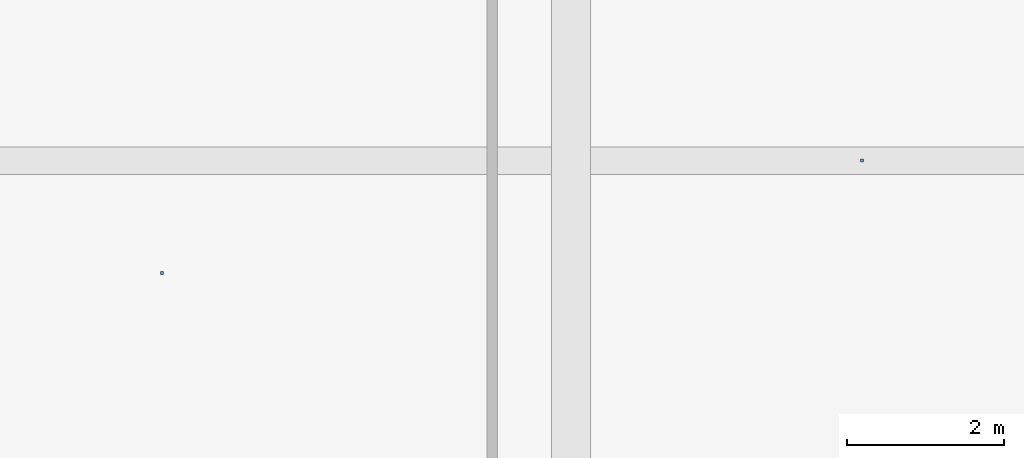
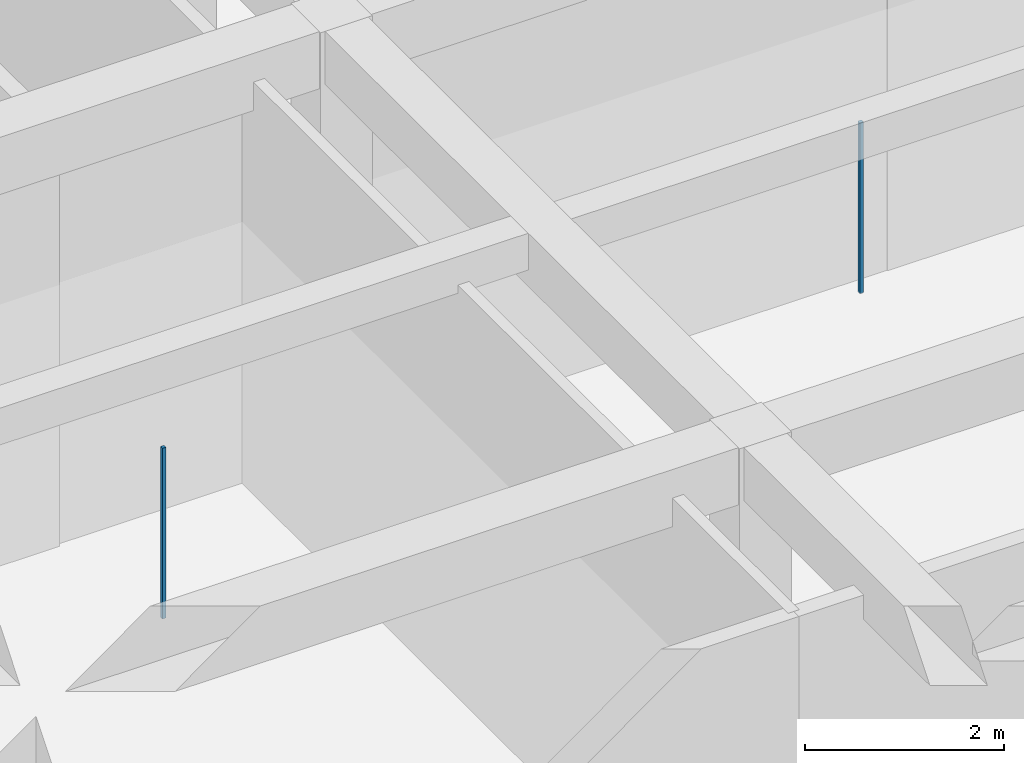
# One storey, part 117 of 157: 2 discrete accessories.
"""IFC4 building model written with IfcOpenShell, lengths in metres."""

from ifc_helpers import new_model, si_unit, direction, frame, origin, origin_2d, place, context, subcontext, project, spatial, rectangle, extrude, material, type_object, element, save


model = new_model("IFC4")

# Units and contexts
model_context = context("Model", 3, precision=1e-05, world=origin(), true_north=direction((0.0, 1.0)))
body_context = subcontext(model_context, "Body", "Model", "MODEL_VIEW")
ifc_project = project(units=[si_unit("LENGTHUNIT", "METRE"), si_unit("AREAUNIT", "SQUARE_METRE"), si_unit("VOLUMEUNIT", "CUBIC_METRE"), si_unit("PLANEANGLEUNIT", "RADIAN"), si_unit("MASSUNIT", "GRAM", prefix="KILO")], contexts=[model_context])

# Site, building, storey
site_placement = place(None, origin())
site = spatial("IfcSite", under=ifc_project, at=site_placement, CompositionType="ELEMENT")
building_placement = place(site_placement, origin())
building = spatial("IfcBuilding", under=site, at=building_placement, Name="Varncliffe General Hospital", CompositionType="ELEMENT")
storey_placement = place(building_placement, frame((0.0, 0.0, 5.39990234375)))
storey = spatial("IfcBuildingStorey", under=building, at=storey_placement, Name="L01", CompositionType="ELEMENT", Elevation=5.39990234375)

# Discrete accessories
ifc_material = material(Name="Powder-coated hospital steel guardrail and handrail", Category="steel")
discrete_accessory_type = type_object("IfcDiscreteAccessoryType", Name="Suspended Ceiling Hanger Bracket CH01", PredefinedType="BRACKET", material=ifc_material)
for number, where, z_axis, x_axis, name in (
    (1, (45.199951171875, 93.969970703125, 3.18994140625), (0.0, 0.0, 1.0), (1.0, 0.0, 0.0), "L01 Suspended Ceiling Hanger 160"),
    (2, (54.10009765625, 95.39990234375, 3.18994140625), (0.0, 0.0, 1.0), (1.0, 0.0, 0.0), "L01 Suspended Ceiling Hanger 161"),
):
    element("IfcDiscreteAccessory", number, at=place(storey_placement, frame(where, z_axis=z_axis, x_axis=x_axis)), inside=storey, type_object=discrete_accessory_type, Name=name, PredefinedType="BRACKET", context=body_context, shape_type="SweptSolid", body=[
        extrude(rectangle(XDim=0.0400390625, YDim=0.0400390625, at=origin_2d()), origin(), (0.0, 0.0, 1.0), 2.090087890625),
    ])

save(model, "model.ifc")
